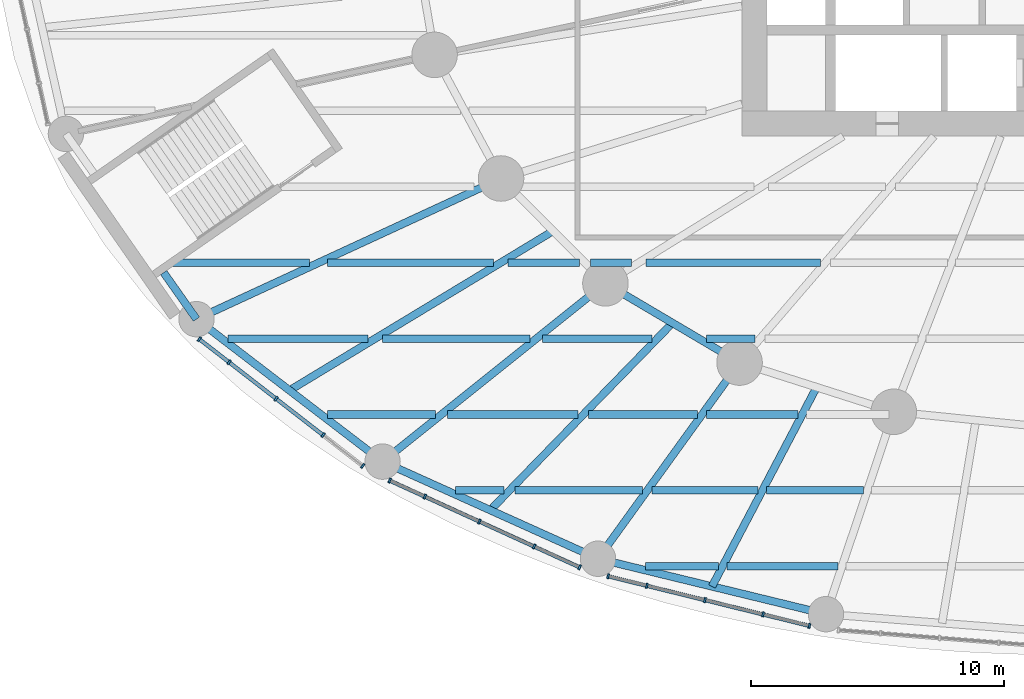
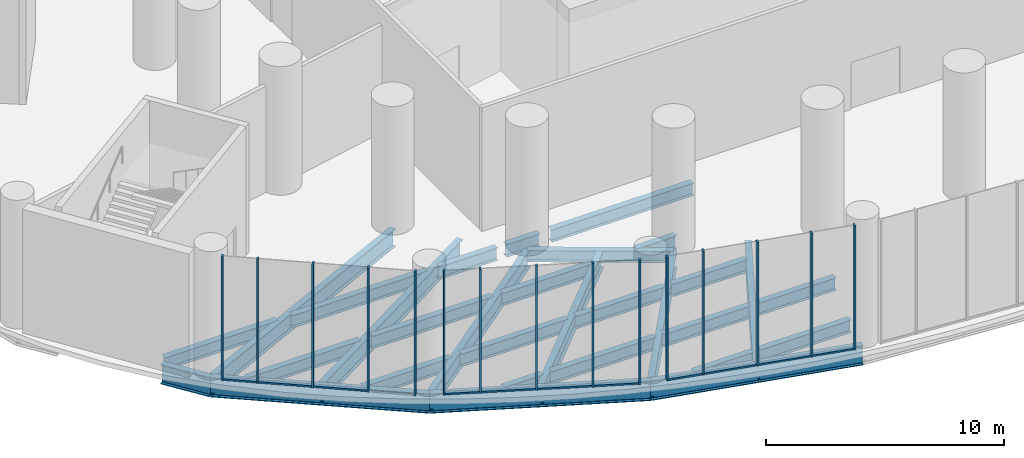
# One storey, part 2 of 22: 30 beams, 26 members, 3 elements without a shape of their own.
"""IFC4 building model written with IfcOpenShell, lengths in metres."""

from ifc_helpers import new_model, si_unit, direction, frame, origin, origin_2d, place, context, subcontext, project, spatial, rectangle, i_section, extrude, material, material_profile, profile_set, type_object, element, aggregate, save


model = new_model("IFC4")

# Units and contexts
model_context = context("Model", 3, precision=1e-05, world=origin(), true_north=direction((0.0, 1.0)))
body_context = subcontext(model_context, "Body", "Model", "MODEL_VIEW")
ifc_project = project(units=[si_unit("LENGTHUNIT", "METRE"), si_unit("AREAUNIT", "SQUARE_METRE"), si_unit("VOLUMEUNIT", "CUBIC_METRE"), si_unit("PLANEANGLEUNIT", "RADIAN"), si_unit("MASSUNIT", "GRAM", prefix="KILO")], contexts=[model_context])

# Site, building, storey
site_placement = place(None, origin())
site = spatial("IfcSite", under=ifc_project, at=site_placement, CompositionType="ELEMENT")
building_placement = place(site_placement, origin())
building = spatial("IfcBuilding", under=site, at=building_placement, Name="Hankou Lantern Tower", CompositionType="ELEMENT")
storey_placement = place(building_placement, frame((0.0, 0.0, 7.199951171875)))
storey = spatial("IfcBuildingStorey", under=building, at=storey_placement, Name="L01", CompositionType="ELEMENT", Elevation=7.199951171875)

# Beam
ifc_material_1 = material(Name="Steel Q355B", Category="steel")
ifc_material_profile_1 = material_profile(ifc_material_1, i_section(OverallWidth=0.300048828125, OverallDepth=0.587890625, WebThickness=0.011962890625, FlangeThickness=0.02001953125, FilletRadius=0.01806640625, at=origin_2d()), Name="HM588x300x12x20")
ifc_profile_set_1 = profile_set([ifc_material_profile_1], Name="Steel Q355B")
beam_type_1 = type_object("IfcBeamType", Name="EB16 RING BEAM HM588x300x12x20", PredefinedType="SPANDREL", material=ifc_profile_set_1)
beam_1_placement = place(storey_placement, frame((-17.891845703125, -14.3134765625, -0.5439453125), z_axis=(0.860881533543, -0.508805449268, 0.0), x_axis=(0.508805449268, 0.860881533543, 0.0)))
element("IfcBeam", 1, at=beam_1_placement, inside=storey, type_object=beam_type_1, Name="Ring beam R16-R17 L01", PredefinedType="SPANDREL", context=body_context, shape_type="SweptSolid", body=[
    extrude(i_section(OverallWidth=0.300048828125, OverallDepth=0.587890625, WebThickness=0.011962890625, FlangeThickness=0.02001953125, FilletRadius=0.01806640625, at=origin_2d()), origin(), (0.0, 0.0, 1.0), 6.15771484375),
])

# Curtain wall, members
ifc_material_2 = material(Name="Glass, dark grey tinted laminated", Category="glass")
curtain_wall_type = type_object("IfcCurtainWallType", Name="CWP PODIUM CURTAIN WALL", PredefinedType="USERDEFINED", material=ifc_material_2)
curtain_wall_1_placement = place(storey_placement, origin())
curtain_wall_1 = element("IfcCurtainWall", 2, at=curtain_wall_1_placement, inside=storey, type_object=curtain_wall_type, Name="CWP L01 PC11", ObjectType="PODIUM GLAZING", PredefinedType="USERDEFINED")
ifc_material_3 = material(Name="Aluminium, black anodised", Category="aluminium")
ifc_material_profile_2 = material_profile(ifc_material_3, rectangle(XDim=0.080078125, YDim=0.199951171875, at=origin_2d()), Name="MU2 80X200")
ifc_profile_set_2 = profile_set([ifc_material_profile_2], Name="Aluminium, black anodised")
member_type_1 = type_object("IfcMemberType", Name="MU2 PODIUM MULLION 80X200", PredefinedType="MULLION", material=ifc_profile_set_2)
member_1_placement = place(storey_placement, frame((-33.945068359375, -16.520751953125, 0.0), z_axis=(0.0, 0.0, 1.0), x_axis=(0.790129760642, -0.612939606608, 0.0)))
member_1 = element("IfcMember", 3, at=member_1_placement, type_object=member_type_1, Name="CWP mullion 1", PredefinedType="MULLION", context=body_context, shape_type="SweptSolid", body=[
    extrude(rectangle(XDim=0.080078125, YDim=0.199951171875, at=origin_2d()), origin(), (0.0, 0.0, 1.0), 6.35009765625),
])
member_2_placement = place(storey_placement, frame((-32.76806640625, -17.433837890625, 0.0), z_axis=(0.0, 0.0, 1.0), x_axis=(0.790129760642, -0.612939606608, 0.0)))
member_2 = element("IfcMember", 4, at=member_2_placement, type_object=member_type_1, Name="CWP mullion 2", PredefinedType="MULLION", context=body_context, shape_type="SweptSolid", body=[
    extrude(rectangle(XDim=0.080078125, YDim=0.199951171875, at=origin_2d()), origin(), (0.0, 0.0, 1.0), 6.35009765625),
])
member_3_placement = place(storey_placement, frame((-30.91064453125, -18.874755859375, 0.0), z_axis=(0.0, 0.0, 1.0), x_axis=(0.790129760642, -0.612939606608, 0.0)))
member_3 = element("IfcMember", 5, at=member_3_placement, type_object=member_type_1, Name="CWP mullion 3", PredefinedType="MULLION", context=body_context, shape_type="SweptSolid", body=[
    extrude(rectangle(XDim=0.080078125, YDim=0.199951171875, at=origin_2d()), origin(), (0.0, 0.0, 1.0), 6.35009765625),
])
member_4_placement = place(storey_placement, frame((-29.05322265625, -20.315673828125, 0.0), z_axis=(0.0, 0.0, 1.0), x_axis=(0.790129760642, -0.612939606608, 0.0)))
member_4 = element("IfcMember", 6, at=member_4_placement, type_object=member_type_1, Name="CWP mullion 4", PredefinedType="MULLION", context=body_context, shape_type="SweptSolid", body=[
    extrude(rectangle(XDim=0.080078125, YDim=0.199951171875, at=origin_2d()), origin(), (0.0, 0.0, 1.0), 6.35009765625),
])
member_5_placement = place(storey_placement, frame((-27.487060546875, -21.530517578125, 0.0), z_axis=(0.0, 0.0, 1.0), x_axis=(0.790129760642, -0.612939606608, 0.0)))
member_5 = element("IfcMember", 7, at=member_5_placement, type_object=member_type_1, Name="CWP mullion 5", PredefinedType="MULLION", context=body_context, shape_type="SweptSolid", body=[
    extrude(rectangle(XDim=0.080078125, YDim=0.199951171875, at=origin_2d()), origin(), (0.0, 0.0, 1.0), 6.35009765625),
])

curtain_wall_2_placement = place(storey_placement, origin())
curtain_wall_2 = element("IfcCurtainWall", 8, at=curtain_wall_2_placement, inside=storey, type_object=curtain_wall_type, Name="CWP L01 PC12", ObjectType="PODIUM GLAZING", PredefinedType="USERDEFINED")
member_6_placement = place(storey_placement, frame((-26.421630859375, -22.10986328125, 0.0), z_axis=(0.0, 0.0, 1.0), x_axis=(0.909669790944, -0.41533224224, 0.0)))
member_6 = element("IfcMember", 9, at=member_6_placement, type_object=member_type_1, Name="CWP mullion 1", PredefinedType="MULLION", context=body_context, shape_type="SweptSolid", body=[
    extrude(rectangle(XDim=0.080078125, YDim=0.199951171875, at=origin_2d()), origin(), (0.0, 0.0, 1.0), 6.35009765625),
])
member_7_placement = place(storey_placement, frame((-25.034423828125, -22.743408203125, 0.0), z_axis=(0.0, 0.0, 1.0), x_axis=(0.909669790944, -0.41533224224, 0.0)))
member_7 = element("IfcMember", 10, at=member_7_placement, type_object=member_type_1, Name="CWP mullion 2", PredefinedType="MULLION", context=body_context, shape_type="SweptSolid", body=[
    extrude(rectangle(XDim=0.080078125, YDim=0.199951171875, at=origin_2d()), origin(), (0.0, 0.0, 1.0), 6.35009765625),
])
member_8_placement = place(storey_placement, frame((-22.873046875, -23.730224609375, 0.0), z_axis=(0.0, 0.0, 1.0), x_axis=(0.909669790944, -0.41533224224, 0.0)))
member_8 = element("IfcMember", 11, at=member_8_placement, type_object=member_type_1, Name="CWP mullion 3", PredefinedType="MULLION", context=body_context, shape_type="SweptSolid", body=[
    extrude(rectangle(XDim=0.080078125, YDim=0.199951171875, at=origin_2d()), origin(), (0.0, 0.0, 1.0), 6.35009765625),
])
member_9_placement = place(storey_placement, frame((-20.711669921875, -24.717041015625, 0.0), z_axis=(0.0, 0.0, 1.0), x_axis=(0.909669790944, -0.41533224224, 0.0)))
member_9 = element("IfcMember", 12, at=member_9_placement, type_object=member_type_1, Name="CWP mullion 4", PredefinedType="MULLION", context=body_context, shape_type="SweptSolid", body=[
    extrude(rectangle(XDim=0.080078125, YDim=0.199951171875, at=origin_2d()), origin(), (0.0, 0.0, 1.0), 6.35009765625),
])
member_10_placement = place(storey_placement, frame((-18.913818359375, -25.537841796875, 0.0), z_axis=(0.0, 0.0, 1.0), x_axis=(0.909669790944, -0.41533224224, 0.0)))
member_10 = element("IfcMember", 13, at=member_10_placement, type_object=member_type_1, Name="CWP mullion 5", PredefinedType="MULLION", context=body_context, shape_type="SweptSolid", body=[
    extrude(rectangle(XDim=0.080078125, YDim=0.199951171875, at=origin_2d()), origin(), (0.0, 0.0, 1.0), 6.35009765625),
])

curtain_wall_3_placement = place(storey_placement, origin())
curtain_wall_3 = element("IfcCurtainWall", 14, at=curtain_wall_3_placement, inside=storey, type_object=curtain_wall_type, Name="CWP L01 PC13", ObjectType="PODIUM GLAZING", PredefinedType="USERDEFINED")
member_11_placement = place(storey_placement, frame((-17.785888671875, -25.892333984375, 0.0), z_axis=(0.0, 0.0, 1.0), x_axis=(0.970960955091, -0.239238006364, 0.0)))
member_11 = element("IfcMember", 15, at=member_11_placement, type_object=member_type_1, Name="CWP mullion 1", PredefinedType="MULLION", context=body_context, shape_type="SweptSolid", body=[
    extrude(rectangle(XDim=0.080078125, YDim=0.199951171875, at=origin_2d()), origin(), (0.0, 0.0, 1.0), 6.35009765625),
])
member_12_placement = place(storey_placement, frame((-16.25439453125, -26.26953125, 0.0), z_axis=(0.0, 0.0, 1.0), x_axis=(0.970960955091, -0.239238006364, 0.0)))
member_12 = element("IfcMember", 16, at=member_12_placement, type_object=member_type_1, Name="CWP mullion 2", PredefinedType="MULLION", context=body_context, shape_type="SweptSolid", body=[
    extrude(rectangle(XDim=0.080078125, YDim=0.199951171875, at=origin_2d()), origin(), (0.0, 0.0, 1.0), 6.35009765625),
])
member_13_placement = place(storey_placement, frame((-13.95849609375, -26.835205078125, 0.0), z_axis=(0.0, 0.0, 1.0), x_axis=(0.970960955091, -0.239238006364, 0.0)))
member_13 = element("IfcMember", 17, at=member_13_placement, type_object=member_type_1, Name="CWP mullion 3", PredefinedType="MULLION", context=body_context, shape_type="SweptSolid", body=[
    extrude(rectangle(XDim=0.080078125, YDim=0.199951171875, at=origin_2d()), origin(), (0.0, 0.0, 1.0), 6.35009765625),
])
member_14_placement = place(storey_placement, frame((-11.662841796875, -27.40087890625, 0.0), z_axis=(0.0, 0.0, 1.0), x_axis=(0.970960955091, -0.239238006364, 0.0)))
member_14 = element("IfcMember", 18, at=member_14_placement, type_object=member_type_1, Name="CWP mullion 4", PredefinedType="MULLION", context=body_context, shape_type="SweptSolid", body=[
    extrude(rectangle(XDim=0.080078125, YDim=0.199951171875, at=origin_2d()), origin(), (0.0, 0.0, 1.0), 6.35009765625),
])
member_15_placement = place(storey_placement, frame((-9.83056640625, -27.852294921875, 0.0), z_axis=(0.0, 0.0, 1.0), x_axis=(0.970960955091, -0.239238006364, 0.0)))
member_15 = element("IfcMember", 19, at=member_15_placement, type_object=member_type_1, Name="CWP mullion 5", PredefinedType="MULLION", context=body_context, shape_type="SweptSolid", body=[
    extrude(rectangle(XDim=0.080078125, YDim=0.199951171875, at=origin_2d()), origin(), (0.0, 0.0, 1.0), 6.35009765625),
])

# Beams
ifc_material_4 = material(Name="Steel Q355B", Category="steel")
ifc_material_profile_3 = material_profile(ifc_material_4, i_section(OverallWidth=0.300048828125, OverallDepth=0.89990234375, WebThickness=0.01611328125, FlangeThickness=0.028076171875, FilletRadius=0.01806640625, at=origin_2d()), Name="HN900x300x16x28")
ifc_profile_set_3 = profile_set([ifc_material_profile_3], Name="Steel Q355B")
beam_type_2 = type_object("IfcBeamType", Name="PB13 PODIUM RADIAL BEAM HN900x300x16x28", PredefinedType="BEAM", material=ifc_profile_set_3)
beam_2_placement = place(storey_placement, frame((-22.01904296875, -10.170166015625, -0.699951171875), z_axis=(-0.907840792808, -0.419315030633, 0.0), x_axis=(0.419315030633, -0.907840792808, 0.0)))
element("IfcBeam", 20, at=beam_2_placement, inside=storey, type_object=beam_type_2, Name="Podium radial beam R15 L01", PredefinedType="BEAM", context=body_context, shape_type="SweptSolid", body=[
    extrude(i_section(OverallWidth=0.300048828125, OverallDepth=0.89990234375, WebThickness=0.01611328125, FlangeThickness=0.028076171875, FilletRadius=0.01806640625, at=origin_2d()), origin(), (0.0, 0.0, 1.0), 13.259765625),
])
beam_3_placement = place(storey_placement, frame((-17.891845703125, -14.3134765625, -0.699951171875), z_axis=(-0.780875142676, -0.624687130931, 0.0), x_axis=(0.624687130931, -0.780875142676, 0.0)))
element("IfcBeam", 21, at=beam_3_placement, inside=storey, type_object=beam_type_2, Name="Podium radial beam R16 L01", PredefinedType="BEAM", context=body_context, shape_type="SweptSolid", body=[
    extrude(i_section(OverallWidth=0.300048828125, OverallDepth=0.89990234375, WebThickness=0.01611328125, FlangeThickness=0.028076171875, FilletRadius=0.01806640625, at=origin_2d()), origin(), (0.0, 0.0, 1.0), 11.28271484375),
])
beam_4_placement = place(storey_placement, frame((-12.5908203125, -17.446533203125, -0.699951171875), z_axis=(-0.585207097055, -0.810883871807, 0.0), x_axis=(0.810883871807, -0.585207097055, 0.0)))
element("IfcBeam", 22, at=beam_4_placement, inside=storey, type_object=beam_type_2, Name="Podium radial beam R17 L01", PredefinedType="BEAM", context=body_context, shape_type="SweptSolid", body=[
    extrude(i_section(OverallWidth=0.300048828125, OverallDepth=0.89990234375, WebThickness=0.01611328125, FlangeThickness=0.028076171875, FilletRadius=0.01806640625, at=origin_2d()), origin(), (0.0, 0.0, 1.0), 9.56103515625),
])
ifc_material_5 = material(Name="Steel Q355B", Category="steel")
ifc_material_profile_4 = material_profile(ifc_material_5, i_section(OverallWidth=0.300048828125, OverallDepth=1.0, WebThickness=0.01904296875, FlangeThickness=0.035888671875, FilletRadius=0.01806640625, at=origin_2d()), Name="HN1000x300x19x36")
ifc_profile_set_4 = profile_set([ifc_material_profile_4], Name="Steel Q355B")
beam_type_3 = type_object("IfcBeamType", Name="PR22 PODIUM RING BEAM HN1000x300x19x36", PredefinedType="BEAM", material=ifc_profile_set_4)
beam_5_placement = place(storey_placement, frame((-35.35400390625, -13.889404296875, -0.75), z_axis=(0.576006222853, -0.817445307794, 0.0), x_axis=(0.817445307794, 0.576006222853, 0.0)))
element("IfcBeam", 23, at=beam_5_placement, inside=storey, type_object=beam_type_3, Name="Podium ring beam R14-R15 L01 east part", PredefinedType="BEAM", context=body_context, shape_type="SweptSolid", body=[
    extrude(i_section(OverallWidth=0.300048828125, OverallDepth=1.0, WebThickness=0.01904296875, FlangeThickness=0.035888671875, FilletRadius=0.01806640625, at=origin_2d()), origin(), (0.0, 0.0, 1.0), 2.251953125),
])
beam_6_placement = place(storey_placement, frame((-34.056884765625, -15.730224609375, -0.75), z_axis=(0.793985875103, -0.607936205647, 0.0), x_axis=(0.607936205647, 0.793985875103, 0.0)))
element("IfcBeam", 24, at=beam_6_placement, inside=storey, type_object=beam_type_3, Name="Podium ring beam R15-R16 L01", PredefinedType="BEAM", context=body_context, shape_type="SweptSolid", body=[
    extrude(i_section(OverallWidth=0.300048828125, OverallDepth=1.0, WebThickness=0.01904296875, FlangeThickness=0.035888671875, FilletRadius=0.01806640625, at=origin_2d()), origin(), (0.0, 0.0, 1.0), 9.262939453125),
])
beam_7_placement = place(storey_placement, frame((-26.7021484375, -21.361572265625, -0.75), z_axis=(0.911695429723, -0.410866697874, 0.0), x_axis=(0.410866697874, 0.911695429723, 0.0)))
element("IfcBeam", 25, at=beam_7_placement, inside=storey, type_object=beam_type_3, Name="Podium ring beam R16-R17 L01", PredefinedType="BEAM", context=body_context, shape_type="SweptSolid", body=[
    extrude(i_section(OverallWidth=0.300048828125, OverallDepth=1.0, WebThickness=0.01904296875, FlangeThickness=0.035888671875, FilletRadius=0.01806640625, at=origin_2d()), origin(), (0.0, 0.0, 1.0), 9.341064453125),
])
beam_8_placement = place(storey_placement, frame((-18.18603515625, -25.199462890625, -0.75), z_axis=(0.971677242441, -0.23631194748, 0.0), x_axis=(0.23631194748, 0.971677242441, 0.0)))
element("IfcBeam", 26, at=beam_8_placement, inside=storey, type_object=beam_type_3, Name="Podium ring beam R17-R18 L01", PredefinedType="BEAM", context=body_context, shape_type="SweptSolid", body=[
    extrude(i_section(OverallWidth=0.300048828125, OverallDepth=1.0, WebThickness=0.01904296875, FlangeThickness=0.035888671875, FilletRadius=0.01806640625, at=origin_2d()), origin(), (0.0, 0.0, 1.0), 9.2744140625),
])
ifc_material_6 = material(Name="Steel Q355B", Category="steel")
ifc_material_profile_5 = material_profile(ifc_material_6, i_section(OverallWidth=0.300048828125, OverallDepth=0.89990234375, WebThickness=0.01611328125, FlangeThickness=0.028076171875, FilletRadius=0.01806640625, at=origin_2d()), Name="HN900x300x16x28")
ifc_profile_set_5 = profile_set([ifc_material_profile_5], Name="Steel Q355B")
beam_type_4 = type_object("IfcBeamType", Name="PS13 PODIUM SECONDARY BEAM HN900x300x16x28", PredefinedType="JOIST", material=ifc_profile_set_5)
beam_9_placement = place(storey_placement, frame((-19.955322265625, -12.24169921875, -0.699951171875), z_axis=(-0.855685755165, -0.517495785884, 0.0), x_axis=(0.517495785884, -0.855685755165, 0.0)))
element("IfcBeam", 27, at=beam_9_placement, inside=storey, type_object=beam_type_4, Name="Podium secondary beam bay R15 L01", PredefinedType="JOIST", context=body_context, shape_type="SweptSolid", body=[
    extrude(i_section(OverallWidth=0.300048828125, OverallDepth=0.89990234375, WebThickness=0.01611328125, FlangeThickness=0.028076171875, FilletRadius=0.01806640625, at=origin_2d()), origin(), (0.0, 0.0, 1.0), 12.18212890625),
])
beam_10_placement = place(storey_placement, frame((-15.2412109375, -15.8798828125, -0.699951171875), z_axis=(-0.697467529957, -0.716616385981, 0.0), x_axis=(0.716616385981, -0.697467529957, 0.0)))
element("IfcBeam", 28, at=beam_10_placement, inside=storey, type_object=beam_type_4, Name="Podium secondary beam bay R16 L01", PredefinedType="JOIST", context=body_context, shape_type="SweptSolid", body=[
    extrude(i_section(OverallWidth=0.300048828125, OverallDepth=0.89990234375, WebThickness=0.01611328125, FlangeThickness=0.028076171875, FilletRadius=0.01806640625, at=origin_2d()), origin(), (0.0, 0.0, 1.0), 10.3271484375),
])
beam_11_placement = place(storey_placement, frame((-9.54296875, -18.4189453125, -0.699951171875), z_axis=(-0.465026961303, -0.88529651827, 0.0), x_axis=(0.88529651827, -0.465026961303, 0.0)))
element("IfcBeam", 29, at=beam_11_placement, inside=storey, type_object=beam_type_4, Name="Podium secondary beam bay R17 L01", PredefinedType="JOIST", context=body_context, shape_type="SweptSolid", body=[
    extrude(i_section(OverallWidth=0.300048828125, OverallDepth=0.89990234375, WebThickness=0.01611328125, FlangeThickness=0.028076171875, FilletRadius=0.01806640625, at=origin_2d()), origin(), (0.0, 0.0, 1.0), 8.896728515625),
])
ifc_material_7 = material(Name="Steel Q355B", Category="steel")
ifc_material_profile_6 = material_profile(ifc_material_7, i_section(OverallWidth=0.300048828125, OverallDepth=0.64990234375, WebThickness=0.010986328125, FlangeThickness=0.01708984375, FilletRadius=0.01806640625, at=origin_2d()), Name="HN650x300x11x17")
ifc_profile_set_6 = profile_set([ifc_material_profile_6], Name="Steel Q355B")
beam_type_5 = type_object("IfcBeamType", Name="SB8 SECONDARY BEAM HN650x300x11x17", PredefinedType="JOIST", material=ifc_profile_set_6)
beam_12_placement = place(storey_placement, frame((-16.3154296875, -25.5, -0.574951171875), z_axis=(1.0, 0.0, 0.0), x_axis=(0.0, 1.0, 0.0)))
element("IfcBeam", 30, at=beam_12_placement, inside=storey, type_object=beam_type_5, Name="Floor joist J001 L01", PredefinedType="JOIST", context=body_context, shape_type="SweptSolid", body=[
    extrude(i_section(OverallWidth=0.300048828125, OverallDepth=0.64990234375, WebThickness=0.010986328125, FlangeThickness=0.01708984375, FilletRadius=0.01806640625, at=origin_2d()), origin(), (0.0, 0.0, 1.0), 2.883544921875),
])
beam_13_placement = place(storey_placement, frame((-13.093017578125, -25.5, -0.574951171875), z_axis=(1.0, 0.0, 0.0), x_axis=(0.0, 1.0, 0.0)))
element("IfcBeam", 31, at=beam_13_placement, inside=storey, type_object=beam_type_5, Name="Floor joist J002 L01", PredefinedType="JOIST", context=body_context, shape_type="SweptSolid", body=[
    extrude(i_section(OverallWidth=0.300048828125, OverallDepth=0.64990234375, WebThickness=0.010986328125, FlangeThickness=0.01708984375, FilletRadius=0.01806640625, at=origin_2d()), origin(), (0.0, 0.0, 1.0), 4.39404296875),
])
beam_14_placement = place(storey_placement, frame((-23.81103515625, -22.5, -0.574951171875), z_axis=(1.0, 0.0, 0.0), x_axis=(0.0, 1.0, 0.0)))
element("IfcBeam", 32, at=beam_14_placement, inside=storey, type_object=beam_type_5, Name="Floor joist J009 L01", PredefinedType="JOIST", context=body_context, shape_type="SweptSolid", body=[
    extrude(i_section(OverallWidth=0.300048828125, OverallDepth=0.64990234375, WebThickness=0.010986328125, FlangeThickness=0.01708984375, FilletRadius=0.01806640625, at=origin_2d()), origin(), (0.0, 0.0, 1.0), 1.917236328125),
])
beam_15_placement = place(storey_placement, frame((-21.47509765625, -22.5, -0.574951171875), z_axis=(1.0, 0.0, 0.0), x_axis=(0.0, 1.0, 0.0)))
element("IfcBeam", 33, at=beam_15_placement, inside=storey, type_object=beam_type_5, Name="Floor joist J010 L01", PredefinedType="JOIST", context=body_context, shape_type="SweptSolid", body=[
    extrude(i_section(OverallWidth=0.300048828125, OverallDepth=0.64990234375, WebThickness=0.010986328125, FlangeThickness=0.01708984375, FilletRadius=0.01806640625, at=origin_2d()), origin(), (0.0, 0.0, 1.0), 5.052001953125),
])
beam_16_placement = place(storey_placement, frame((-16.052978515625, -22.5, -0.574951171875), z_axis=(1.0, 0.0, 0.0), x_axis=(0.0, 1.0, 0.0)))
element("IfcBeam", 34, at=beam_16_placement, inside=storey, type_object=beam_type_5, Name="Floor joist J011 L01", PredefinedType="JOIST", context=body_context, shape_type="SweptSolid", body=[
    extrude(i_section(OverallWidth=0.300048828125, OverallDepth=0.64990234375, WebThickness=0.010986328125, FlangeThickness=0.01708984375, FilletRadius=0.01806640625, at=origin_2d()), origin(), (0.0, 0.0, 1.0), 4.197021484375),
])
beam_17_placement = place(storey_placement, frame((-11.51708984375, -22.5, -0.574951171875), z_axis=(1.0, 0.0, 0.0), x_axis=(0.0, 1.0, 0.0)))
element("IfcBeam", 35, at=beam_17_placement, inside=storey, type_object=beam_type_5, Name="Floor joist J012 L01", PredefinedType="JOIST", context=body_context, shape_type="SweptSolid", body=[
    extrude(i_section(OverallWidth=0.300048828125, OverallDepth=0.64990234375, WebThickness=0.010986328125, FlangeThickness=0.01708984375, FilletRadius=0.01806640625, at=origin_2d()), origin(), (0.0, 0.0, 1.0), 3.82275390625),
])
beam_18_placement = place(storey_placement, frame((-28.88671875, -19.5, -0.574951171875), z_axis=(1.0, 0.0, 0.0), x_axis=(0.0, 1.0, 0.0)))
element("IfcBeam", 36, at=beam_18_placement, inside=storey, type_object=beam_type_5, Name="Floor joist J021 L01", PredefinedType="JOIST", context=body_context, shape_type="SweptSolid", body=[
    extrude(i_section(OverallWidth=0.300048828125, OverallDepth=0.64990234375, WebThickness=0.010986328125, FlangeThickness=0.01708984375, FilletRadius=0.01806640625, at=origin_2d()), origin(), (0.0, 0.0, 1.0), 4.271484375),
])
beam_19_placement = place(storey_placement, frame((-24.134765625, -19.5, -0.574951171875), z_axis=(1.0, 0.0, 0.0), x_axis=(0.0, 1.0, 0.0)))
element("IfcBeam", 37, at=beam_19_placement, inside=storey, type_object=beam_type_5, Name="Floor joist J022 L01", PredefinedType="JOIST", context=body_context, shape_type="SweptSolid", body=[
    extrude(i_section(OverallWidth=0.300048828125, OverallDepth=0.64990234375, WebThickness=0.010986328125, FlangeThickness=0.01708984375, FilletRadius=0.01806640625, at=origin_2d()), origin(), (0.0, 0.0, 1.0), 5.160888671875),
])
beam_20_placement = place(storey_placement, frame((-18.55517578125, -19.5, -0.574951171875), z_axis=(1.0, 0.0, 0.0), x_axis=(0.0, 1.0, 0.0)))
element("IfcBeam", 38, at=beam_20_placement, inside=storey, type_object=beam_type_5, Name="Floor joist J023 L01", PredefinedType="JOIST", context=body_context, shape_type="SweptSolid", body=[
    extrude(i_section(OverallWidth=0.300048828125, OverallDepth=0.64990234375, WebThickness=0.010986328125, FlangeThickness=0.01708984375, FilletRadius=0.01806640625, at=origin_2d()), origin(), (0.0, 0.0, 1.0), 4.29736328125),
])
beam_21_placement = place(storey_placement, frame((-13.887939453125, -19.5, -0.574951171875), z_axis=(1.0, 0.0, 0.0), x_axis=(0.0, 1.0, 0.0)))
element("IfcBeam", 39, at=beam_21_placement, inside=storey, type_object=beam_type_5, Name="Floor joist J024 L01", PredefinedType="JOIST", context=body_context, shape_type="SweptSolid", body=[
    extrude(i_section(OverallWidth=0.300048828125, OverallDepth=0.64990234375, WebThickness=0.010986328125, FlangeThickness=0.01708984375, FilletRadius=0.01806640625, at=origin_2d()), origin(), (0.0, 0.0, 1.0), 3.607666015625),
])
beam_22_placement = place(storey_placement, frame((-32.8046875, -16.5, -0.574951171875), z_axis=(1.0, 0.0, 0.0), x_axis=(0.0, 1.0, 0.0)))
element("IfcBeam", 40, at=beam_22_placement, inside=storey, type_object=beam_type_5, Name="Floor joist J033 L01", PredefinedType="JOIST", context=body_context, shape_type="SweptSolid", body=[
    extrude(i_section(OverallWidth=0.300048828125, OverallDepth=0.64990234375, WebThickness=0.010986328125, FlangeThickness=0.01708984375, FilletRadius=0.01806640625, at=origin_2d()), origin(), (0.0, 0.0, 1.0), 5.518310546875),
])
beam_23_placement = place(storey_placement, frame((-26.70654296875, -16.5, -0.574951171875), z_axis=(1.0, 0.0, 0.0), x_axis=(0.0, 1.0, 0.0)))
element("IfcBeam", 41, at=beam_23_placement, inside=storey, type_object=beam_type_5, Name="Floor joist J034 L01", PredefinedType="JOIST", context=body_context, shape_type="SweptSolid", body=[
    extrude(i_section(OverallWidth=0.300048828125, OverallDepth=0.64990234375, WebThickness=0.010986328125, FlangeThickness=0.01708984375, FilletRadius=0.01806640625, at=origin_2d()), origin(), (0.0, 0.0, 1.0), 5.84130859375),
])
beam_24_placement = place(storey_placement, frame((-20.384765625, -16.5, -0.574951171875), z_axis=(1.0, 0.0, 0.0), x_axis=(0.0, 1.0, 0.0)))
element("IfcBeam", 42, at=beam_24_placement, inside=storey, type_object=beam_type_5, Name="Floor joist J035 L01", PredefinedType="JOIST", context=body_context, shape_type="SweptSolid", body=[
    extrude(i_section(OverallWidth=0.300048828125, OverallDepth=0.64990234375, WebThickness=0.010986328125, FlangeThickness=0.01708984375, FilletRadius=0.01806640625, at=origin_2d()), origin(), (0.0, 0.0, 1.0), 4.33056640625),
])
beam_25_placement = place(storey_placement, frame((-13.8974609375, -16.5, -0.574951171875), z_axis=(1.0, 0.0, 0.0), x_axis=(0.0, 1.0, 0.0)))
element("IfcBeam", 43, at=beam_25_placement, inside=storey, type_object=beam_type_5, Name="Floor joist J036 L01", PredefinedType="JOIST", context=body_context, shape_type="SweptSolid", body=[
    extrude(i_section(OverallWidth=0.300048828125, OverallDepth=0.64990234375, WebThickness=0.010986328125, FlangeThickness=0.01708984375, FilletRadius=0.01806640625, at=origin_2d()), origin(), (0.0, 0.0, 1.0), 1.921630859375),
])
beam_26_placement = place(storey_placement, frame((-35.056884765625, -13.5, -0.574951171875), z_axis=(1.0, 0.0, 0.0), x_axis=(0.0, 1.0, 0.0)))
element("IfcBeam", 44, at=beam_26_placement, inside=storey, type_object=beam_type_5, Name="Floor joist J045 L01", PredefinedType="JOIST", context=body_context, shape_type="SweptSolid", body=[
    extrude(i_section(OverallWidth=0.300048828125, OverallDepth=0.64990234375, WebThickness=0.010986328125, FlangeThickness=0.01708984375, FilletRadius=0.01806640625, at=origin_2d()), origin(), (0.0, 0.0, 1.0), 5.470703125),
])
beam_27_placement = place(storey_placement, frame((-28.87060546875, -13.5, -0.574951171875), z_axis=(1.0, 0.0, 0.0), x_axis=(0.0, 1.0, 0.0)))
element("IfcBeam", 45, at=beam_27_placement, inside=storey, type_object=beam_type_5, Name="Floor joist J046 L01", PredefinedType="JOIST", context=body_context, shape_type="SweptSolid", body=[
    extrude(i_section(OverallWidth=0.300048828125, OverallDepth=0.64990234375, WebThickness=0.010986328125, FlangeThickness=0.01708984375, FilletRadius=0.01806640625, at=origin_2d()), origin(), (0.0, 0.0, 1.0), 6.544921875),
])
beam_28_placement = place(storey_placement, frame((-21.74609375, -13.5, -0.574951171875), z_axis=(1.0, 0.0, 0.0), x_axis=(0.0, 1.0, 0.0)))
element("IfcBeam", 46, at=beam_28_placement, inside=storey, type_object=beam_type_5, Name="Floor joist J047 L01", PredefinedType="JOIST", context=body_context, shape_type="SweptSolid", body=[
    extrude(i_section(OverallWidth=0.300048828125, OverallDepth=0.64990234375, WebThickness=0.010986328125, FlangeThickness=0.01708984375, FilletRadius=0.01806640625, at=origin_2d()), origin(), (0.0, 0.0, 1.0), 2.832275390625),
])
beam_29_placement = place(storey_placement, frame((-18.490234375, -13.5, -0.574951171875), z_axis=(1.0, 0.0, 0.0), x_axis=(0.0, 1.0, 0.0)))
element("IfcBeam", 47, at=beam_29_placement, inside=storey, type_object=beam_type_5, Name="Floor joist J048 L01", PredefinedType="JOIST", context=body_context, shape_type="SweptSolid", body=[
    extrude(i_section(OverallWidth=0.300048828125, OverallDepth=0.64990234375, WebThickness=0.010986328125, FlangeThickness=0.01708984375, FilletRadius=0.01806640625, at=origin_2d()), origin(), (0.0, 0.0, 1.0), 1.62744140625),
])
beam_30_placement = place(storey_placement, frame((-16.292724609375, -13.5, -0.574951171875), z_axis=(1.0, 0.0, 0.0), x_axis=(0.0, 1.0, 0.0)))
element("IfcBeam", 48, at=beam_30_placement, inside=storey, type_object=beam_type_5, Name="Floor joist J049 L01", PredefinedType="JOIST", context=body_context, shape_type="SweptSolid", body=[
    extrude(i_section(OverallWidth=0.300048828125, OverallDepth=0.64990234375, WebThickness=0.010986328125, FlangeThickness=0.01708984375, FilletRadius=0.01806640625, at=origin_2d()), origin(), (0.0, 0.0, 1.0), 6.893310546875),
])

# Member
ifc_material_8 = material(Name="Aluminium, black anodised", Category="aluminium")
ifc_material_profile_7 = material_profile(ifc_material_8, rectangle(XDim=0.14990234375, YDim=0.080078125, at=origin_2d()), Name="TR2 150X80")
ifc_profile_set_7 = profile_set([ifc_material_profile_7], Name="Aluminium, black anodised")
member_type_2 = type_object("IfcMemberType", Name="TR2 PODIUM TRANSOM 150X80", PredefinedType="USERDEFINED", material=ifc_profile_set_7)
member_16_placement = place(storey_placement, frame((-33.913330078125, -16.54541015625, 0.0400390625), z_axis=(0.790144462034, -0.612920654829, 0.0), x_axis=(0.612920654829, 0.790144462034, 0.0)))
member_16 = element("IfcMember", 49, at=member_16_placement, type_object=member_type_2, Name="CWP transom 1", ObjectType="TRANSOM", PredefinedType="USERDEFINED", context=body_context, shape_type="SweptSolid", body=[
    extrude(rectangle(XDim=0.14990234375, YDim=0.080078125, at=origin_2d()), origin(), (0.0, 0.0, 1.0), 1.4091796875),
])

member_17_placement = place(storey_placement, frame((-32.736572265625, -17.458251953125, 0.0400390625), z_axis=(0.79016773701, -0.612890648802, 0.0), x_axis=(0.612890648802, 0.79016773701, 0.0)))
member_17 = element("IfcMember", 50, at=member_17_placement, type_object=member_type_2, Name="CWP transom 2", ObjectType="TRANSOM", PredefinedType="USERDEFINED", context=body_context, shape_type="SweptSolid", body=[
    extrude(rectangle(XDim=0.14990234375, YDim=0.080078125, at=origin_2d()), origin(), (0.0, 0.0, 1.0), 2.27099609375),
])

member_18_placement = place(storey_placement, frame((-30.879150390625, -18.899169921875, 0.0400390625), z_axis=(0.79016773701, -0.612890648802, 0.0), x_axis=(0.612890648802, 0.79016773701, 0.0)))
member_18 = element("IfcMember", 51, at=member_18_placement, type_object=member_type_2, Name="CWP transom 3", ObjectType="TRANSOM", PredefinedType="USERDEFINED", context=body_context, shape_type="SweptSolid", body=[
    extrude(rectangle(XDim=0.14990234375, YDim=0.080078125, at=origin_2d()), origin(), (0.0, 0.0, 1.0), 2.27099609375),
])

aggregate(curtain_wall_1, [member_1, member_2, member_3, member_4, member_5, member_16, member_17, member_18])

member_19_placement = place(storey_placement, frame((-26.38525390625, -22.126708984375, 0.0400390625), z_axis=(0.909682453266, -0.415304507825, 0.0), x_axis=(0.415304507825, 0.909682453266, 0.0)))
member_19 = element("IfcMember", 52, at=member_19_placement, type_object=member_type_2, Name="CWP transom 1", ObjectType="TRANSOM", PredefinedType="USERDEFINED", context=body_context, shape_type="SweptSolid", body=[
    extrude(rectangle(XDim=0.14990234375, YDim=0.080078125, at=origin_2d()), origin(), (0.0, 0.0, 1.0), 1.445068359375),
])

member_20_placement = place(storey_placement, frame((-24.998046875, -22.760009765625, 0.0400390625), z_axis=(0.909669664149, -0.415332519949, 0.0), x_axis=(0.415332519949, 0.909669664149, 0.0)))
member_20 = element("IfcMember", 53, at=member_20_placement, type_object=member_type_2, Name="CWP transom 2", ObjectType="TRANSOM", PredefinedType="USERDEFINED", context=body_context, shape_type="SweptSolid", body=[
    extrude(rectangle(XDim=0.14990234375, YDim=0.080078125, at=origin_2d()), origin(), (0.0, 0.0, 1.0), 2.296142578125),
])

member_21_placement = place(storey_placement, frame((-22.836669921875, -23.746826171875, 0.0400390625), z_axis=(0.909669664149, -0.415332519949, 0.0), x_axis=(0.415332519949, 0.909669664149, 0.0)))
member_21 = element("IfcMember", 54, at=member_21_placement, type_object=member_type_2, Name="CWP transom 3", ObjectType="TRANSOM", PredefinedType="USERDEFINED", context=body_context, shape_type="SweptSolid", body=[
    extrude(rectangle(XDim=0.14990234375, YDim=0.080078125, at=origin_2d()), origin(), (0.0, 0.0, 1.0), 2.296142578125),
])

member_22_placement = place(storey_placement, frame((-20.67529296875, -24.733642578125, 0.0400390625), z_axis=(0.909677430468, -0.41531550958, 0.0), x_axis=(0.41531550958, 0.909677430468, 0.0)))
member_22 = element("IfcMember", 55, at=member_22_placement, type_object=member_type_2, Name="CWP transom 4", ObjectType="TRANSOM", PredefinedType="USERDEFINED", context=body_context, shape_type="SweptSolid", body=[
    extrude(rectangle(XDim=0.14990234375, YDim=0.080078125, at=origin_2d()), origin(), (0.0, 0.0, 1.0), 1.896484375),
])

aggregate(curtain_wall_2, [member_6, member_7, member_8, member_9, member_10, member_19, member_20, member_21, member_22])

member_23_placement = place(storey_placement, frame((-17.7470703125, -25.90185546875, 0.0400390625), z_axis=(0.970971197991, -0.239196431142, 0.0), x_axis=(0.239196431142, 0.970971197991, 0.0)))
member_23 = element("IfcMember", 56, at=member_23_placement, type_object=member_type_2, Name="CWP transom 1", ObjectType="TRANSOM", PredefinedType="USERDEFINED", context=body_context, shape_type="SweptSolid", body=[
    extrude(rectangle(XDim=0.14990234375, YDim=0.080078125, at=origin_2d()), origin(), (0.0, 0.0, 1.0), 1.497314453125),
])

member_24_placement = place(storey_placement, frame((-16.215576171875, -26.279052734375, 0.0400390625), z_axis=(0.970948059845, -0.239290336378, 0.0), x_axis=(0.239290336378, 0.970948059845, 0.0)))
member_24 = element("IfcMember", 57, at=member_24_placement, type_object=member_type_2, Name="CWP transom 2", ObjectType="TRANSOM", PredefinedType="USERDEFINED", context=body_context, shape_type="SweptSolid", body=[
    extrude(rectangle(XDim=0.14990234375, YDim=0.080078125, at=origin_2d()), origin(), (0.0, 0.0, 1.0), 2.284423828125),
])

member_25_placement = place(storey_placement, frame((-13.919677734375, -26.8447265625, 0.0400390625), z_axis=(0.970948059845, -0.239290336378, 0.0), x_axis=(0.239290336378, 0.970948059845, 0.0)))
member_25 = element("IfcMember", 58, at=member_25_placement, type_object=member_type_2, Name="CWP transom 3", ObjectType="TRANSOM", PredefinedType="USERDEFINED", context=body_context, shape_type="SweptSolid", body=[
    extrude(rectangle(XDim=0.14990234375, YDim=0.080078125, at=origin_2d()), origin(), (0.0, 0.0, 1.0), 2.284423828125),
])

member_26_placement = place(storey_placement, frame((-11.6240234375, -27.410400390625, 0.0400390625), z_axis=(0.970955515261, -0.23926008314, 0.0), x_axis=(0.23926008314, 0.970955515261, 0.0)))
member_26 = element("IfcMember", 59, at=member_26_placement, type_object=member_type_2, Name="CWP transom 4", ObjectType="TRANSOM", PredefinedType="USERDEFINED", context=body_context, shape_type="SweptSolid", body=[
    extrude(rectangle(XDim=0.14990234375, YDim=0.080078125, at=origin_2d()), origin(), (0.0, 0.0, 1.0), 1.80712890625),
])

aggregate(curtain_wall_3, [member_11, member_12, member_13, member_14, member_15, member_23, member_24, member_25, member_26])

save(model, "model.ifc")
